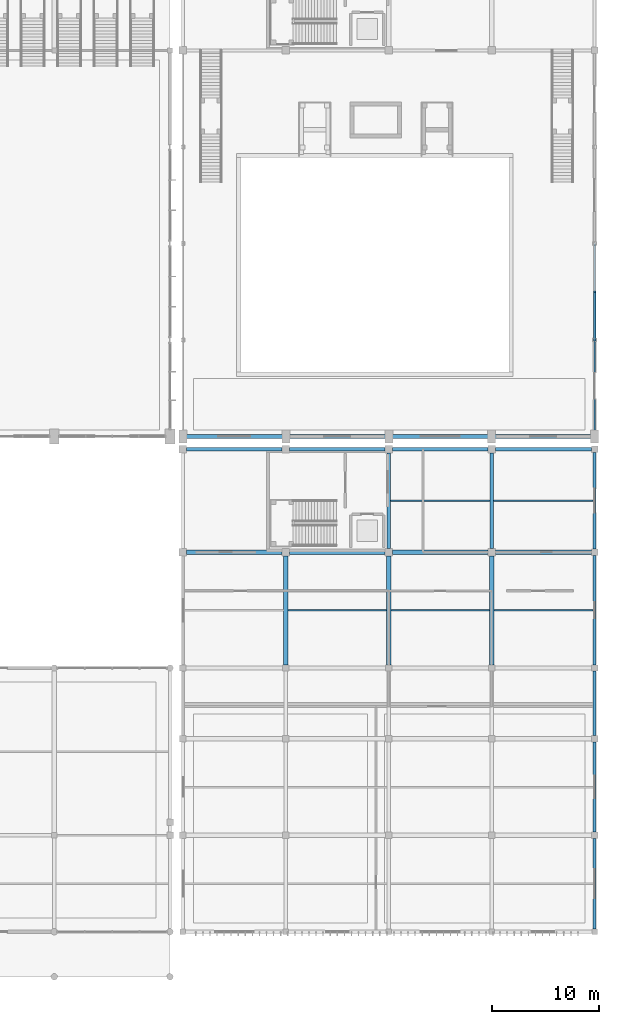
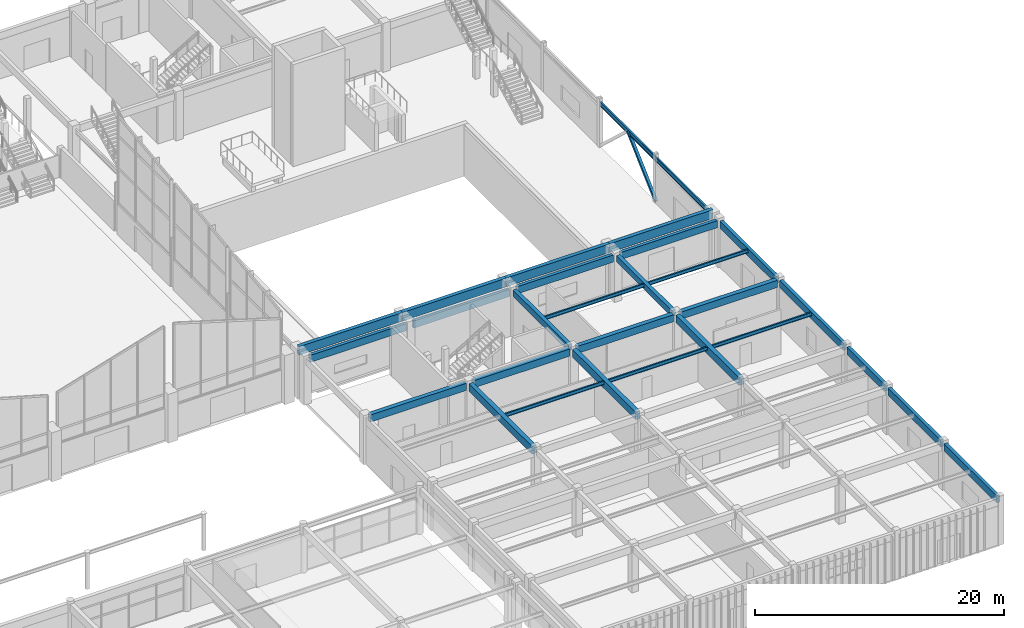
# One storey, part 36 of 82: 29 beams, 1 member.
"""IFC4 building model written with IfcOpenShell, lengths in metres."""

from ifc_helpers import new_model, si_unit, direction, frame, origin, origin_2d, place, context, subcontext, project, spatial, rectangle, hollow_rectangle, i_section, extrude, material, material_profile, profile_set, type_object, element, save


model = new_model("IFC4")

# Units and contexts
model_context = context("Model", 3, precision=1e-05, world=origin(), true_north=direction((0.0, 1.0)))
body_context = subcontext(model_context, "Body", "Model", "MODEL_VIEW")
ifc_project = project(units=[si_unit("LENGTHUNIT", "METRE"), si_unit("AREAUNIT", "SQUARE_METRE"), si_unit("VOLUMEUNIT", "CUBIC_METRE"), si_unit("PLANEANGLEUNIT", "RADIAN"), si_unit("MASSUNIT", "GRAM", prefix="KILO")], contexts=[model_context])

# Site, building, storey
site_placement = place(None, origin())
site = spatial("IfcSite", under=ifc_project, at=site_placement, CompositionType="ELEMENT")
building_placement = place(site_placement, origin())
building = spatial("IfcBuilding", under=site, at=building_placement, Name="Suirenkawa Promenade Aquatics Centre", CompositionType="ELEMENT")
storey_placement = place(building_placement, origin())
storey = spatial("IfcBuildingStorey", under=building, at=storey_placement, Name="L00", CompositionType="ELEMENT", Elevation=0.0)

# Beams
ifc_material_1 = material(Name="Steel IS 2062 E350 (Grade 350)", Category="steel")
ifc_material_profile_1 = material_profile(ifc_material_1, i_section(OverallWidth=0.139892578125, OverallDepth=0.35009765625, WebThickness=0.008056640625, FlangeThickness=0.013916015625, at=origin_2d()), Name="ISMB 350", Category="steel")
ifc_profile_set_1 = profile_set([ifc_material_profile_1], Name="Steel IS 2062 E350 (Grade 350)")
beam_type_1 = type_object("IfcBeamType", Name="BT-JOIST-ISMB350", PredefinedType="JOIST", material=ifc_profile_set_1)
beam_1_placement = place(storey_placement, frame((165.7939453125, 34.199951171875, 4.363037109375), z_axis=(1.0, 0.0, 0.0), x_axis=(0.0, 1.0, 0.0)))
element("IfcBeam", 1, at=beam_1_placement, inside=storey, type_object=beam_type_1, Name="Secondary floor joist JS-03 BM-1664", PredefinedType="JOIST", context=body_context, shape_type="SweptSolid", body=[
    extrude(i_section(OverallWidth=0.139892578125, OverallDepth=0.35009765625, WebThickness=0.008056640625, FlangeThickness=0.013916015625, at=origin_2d()), origin(), (0.0, 0.0, 1.0), 9.212158203125),
])
beam_2_placement = place(storey_placement, frame((175.39404296875, 34.199951171875, 4.363037109375), z_axis=(1.0, 0.0, 0.0), x_axis=(0.0, 1.0, 0.0)))
element("IfcBeam", 2, at=beam_2_placement, inside=storey, type_object=beam_type_1, Name="Secondary floor joist JS-03 BM-1668", PredefinedType="JOIST", context=body_context, shape_type="SweptSolid", body=[
    extrude(i_section(OverallWidth=0.139892578125, OverallDepth=0.35009765625, WebThickness=0.008056640625, FlangeThickness=0.013916015625, at=origin_2d()), origin(), (0.0, 0.0, 1.0), 9.2119140625),
])
for number, where, z_axis, x_axis, name in (
    (3, (175.368896484375, 44.39990234375, 4.363037109375), (1.0, 0.0, 0.0), (0.0, 1.0, 0.0), "Secondary floor joist JS-03 BM-1669"),
    (4, (184.993896484375, 34.199951171875, 4.363037109375), (1.0, 0.0, 0.0), (0.0, 1.0, 0.0), "Secondary floor joist JS-03 BM-1673"),
):
    element("IfcBeam", number, at=place(storey_placement, frame(where, z_axis=z_axis, x_axis=x_axis)), inside=storey, type_object=beam_type_1, Name=name, PredefinedType="JOIST", context=body_context, shape_type="SweptSolid", body=[
        extrude(i_section(OverallWidth=0.139892578125, OverallDepth=0.35009765625, WebThickness=0.008056640625, FlangeThickness=0.013916015625, at=origin_2d()), origin(), (0.0, 0.0, 1.0), 9.26220703125),
    ])
beam_3_placement = place(storey_placement, frame((184.968994140625, 44.39990234375, 4.363037109375), z_axis=(1.0, 0.0, 0.0), x_axis=(0.0, 1.0, 0.0)))
element("IfcBeam", 5, at=beam_3_placement, inside=storey, type_object=beam_type_1, Name="Secondary floor joist JS-03 BM-1674", PredefinedType="JOIST", context=body_context, shape_type="SweptSolid", body=[
    extrude(i_section(OverallWidth=0.139892578125, OverallDepth=0.35009765625, WebThickness=0.008056640625, FlangeThickness=0.013916015625, at=origin_2d()), origin(), (0.0, 0.0, 1.0), 9.287109375),
])
ifc_material_2 = material(Name="Concrete M35", Category="concrete")
ifc_material_profile_2 = material_profile(ifc_material_2, rectangle(XDim=0.35009765625, YDim=0.60009765625, at=origin_2d()), Name="RC BM 350x600", Category="concrete")
ifc_profile_set_2 = profile_set([ifc_material_profile_2], Name="Concrete M35")
beam_type_2 = type_object("IfcBeamType", Name="BT-RC-350x600", PredefinedType="BEAM", material=ifc_profile_set_2)
for number, where, z_axis, x_axis, name in (
    (6, (175.199951171875, 39.944091796875, 4.239990234375), (0.0, 1.0, 0.0), (-1.0, 0.0, 0.0), "Floor beam BM-02 BM-1646"),
    (7, (184.800048828125, 39.944091796875, 4.239990234375), (0.0, 1.0, 0.0), (-1.0, 0.0, 0.0), "Floor beam BM-02 BM-1651"),
):
    element("IfcBeam", number, at=place(storey_placement, frame(where, z_axis=z_axis, x_axis=x_axis)), inside=storey, type_object=beam_type_2, Name=name, PredefinedType="BEAM", context=body_context, shape_type="SweptSolid", body=[
        extrude(rectangle(XDim=0.35009765625, YDim=0.60009765625, at=origin_2d()), origin(), (0.0, 0.0, 1.0), 8.911865234375),
    ])
ifc_material_profile_3 = material_profile(ifc_material_2, rectangle(XDim=0.39990234375, YDim=0.699951171875, at=origin_2d()), Name="RC BM 400x700", Category="concrete")
ifc_profile_set_3 = profile_set([ifc_material_profile_3], Name="Concrete M35")
beam_type_3 = type_object("IfcBeamType", Name="BT-RC-400x700", PredefinedType="BEAM", material=ifc_profile_set_3)
beam_4_placement = place(storey_placement, frame((156.343994140625, 39.60009765625, 4.18994140625), z_axis=(1.0, 0.0, 0.0), x_axis=(0.0, 1.0, 0.0)))
element("IfcBeam", 8, at=beam_4_placement, inside=storey, type_object=beam_type_3, Name="Floor beam BM-04 BM-1625", PredefinedType="BEAM", context=body_context, shape_type="SweptSolid", body=[
    extrude(rectangle(XDim=0.39990234375, YDim=0.699951171875, at=origin_2d()), origin(), (0.0, 0.0, 1.0), 8.912109375),
])
beam_5_placement = place(storey_placement, frame((165.944091796875, 39.60009765625, 4.18994140625), z_axis=(1.0, 0.0, 0.0), x_axis=(0.0, 1.0, 0.0)))
element("IfcBeam", 9, at=beam_5_placement, inside=storey, type_object=beam_type_3, Name="Floor beam BM-04 BM-1626", PredefinedType="BEAM", context=body_context, shape_type="SweptSolid", body=[
    extrude(rectangle(XDim=0.39990234375, YDim=0.699951171875, at=origin_2d()), origin(), (0.0, 0.0, 1.0), 8.911865234375),
])
beam_6_placement = place(storey_placement, frame((175.5439453125, 39.60009765625, 4.18994140625), z_axis=(1.0, 0.0, 0.0), x_axis=(0.0, 1.0, 0.0)))
element("IfcBeam", 10, at=beam_6_placement, inside=storey, type_object=beam_type_3, Name="Floor beam BM-04 BM-1627", PredefinedType="BEAM", context=body_context, shape_type="SweptSolid", body=[
    extrude(rectangle(XDim=0.39990234375, YDim=0.699951171875, at=origin_2d()), origin(), (0.0, 0.0, 1.0), 8.912109375),
])
beam_7_placement = place(storey_placement, frame((185.14404296875, 39.60009765625, 4.18994140625), z_axis=(1.0, 0.0, 0.0), x_axis=(0.0, 1.0, 0.0)))
element("IfcBeam", 11, at=beam_7_placement, inside=storey, type_object=beam_type_3, Name="Floor beam BM-04 BM-1628", PredefinedType="BEAM", context=body_context, shape_type="SweptSolid", body=[
    extrude(rectangle(XDim=0.39990234375, YDim=0.699951171875, at=origin_2d()), origin(), (0.0, 0.0, 1.0), 8.9619140625),
])
ifc_material_3 = material(Name="Concrete M40", Category="concrete")
ifc_material_profile_4 = material_profile(ifc_material_3, rectangle(XDim=0.39990234375, YDim=0.75, at=origin_2d()), Name="RC BM 400x750", Category="concrete")
ifc_profile_set_4 = profile_set([ifc_material_profile_4], Name="Concrete M40")
beam_type_4 = type_object("IfcBeamType", Name="BT-RC-400x750", PredefinedType="BEAM", material=ifc_profile_set_4)
for number, where, z_axis, x_axis, name in (
    (12, (165.60009765625, 29.093994140625, 4.1650390625), (0.0, 1.0, 0.0), (-1.0, 0.0, 0.0), "Floor beam BM-05 BM-1641"),
    (13, (175.199951171875, 29.093994140625, 4.1650390625), (0.0, 1.0, 0.0), (-1.0, 0.0, 0.0), "Floor beam BM-05 BM-1645"),
    (14, (184.800048828125, 29.093994140625, 4.1650390625), (0.0, 1.0, 0.0), (-1.0, 0.0, 0.0), "Floor beam BM-05 BM-1650"),
):
    element("IfcBeam", number, at=place(storey_placement, frame(where, z_axis=z_axis, x_axis=x_axis)), inside=storey, type_object=beam_type_4, Name=name, PredefinedType="BEAM", context=body_context, shape_type="SweptSolid", body=[
        extrude(rectangle(XDim=0.39990234375, YDim=0.75, at=origin_2d()), origin(), (0.0, 0.0, 1.0), 10.162109375),
    ])
ifc_material_profile_5 = material_profile(ifc_material_3, rectangle(XDim=0.300048828125, YDim=0.699951171875, at=origin_2d()), Name="RC SPANDREL 300x700", Category="concrete")
ifc_profile_set_5 = profile_set([ifc_material_profile_5], Name="Concrete M40")
beam_type_5 = type_object("IfcBeamType", Name="BT-SPANDREL-300x700", PredefinedType="SPANDREL", material=ifc_profile_set_5)
beam_8_placement = place(storey_placement, frame((156.343994140625, 49.199951171875, 4.18994140625), z_axis=(1.0, 0.0, 0.0), x_axis=(0.0, 1.0, 0.0)))
element("IfcBeam", 15, at=beam_8_placement, inside=storey, type_object=beam_type_5, Name="Floor beam SP-01 BM-1629", PredefinedType="SPANDREL", context=body_context, shape_type="SweptSolid", body=[
    extrude(rectangle(XDim=0.300048828125, YDim=0.699951171875, at=origin_2d()), origin(), (0.0, 0.0, 1.0), 8.912109375),
])
beam_9_placement = place(storey_placement, frame((165.944091796875, 49.199951171875, 4.18994140625), z_axis=(1.0, 0.0, 0.0), x_axis=(0.0, 1.0, 0.0)))
element("IfcBeam", 16, at=beam_9_placement, inside=storey, type_object=beam_type_5, Name="Floor beam SP-01 BM-1630", PredefinedType="SPANDREL", context=body_context, shape_type="SweptSolid", body=[
    extrude(rectangle(XDim=0.300048828125, YDim=0.699951171875, at=origin_2d()), origin(), (0.0, 0.0, 1.0), 8.911865234375),
])
beam_10_placement = place(storey_placement, frame((175.5439453125, 49.199951171875, 4.18994140625), z_axis=(1.0, 0.0, 0.0), x_axis=(0.0, 1.0, 0.0)))
element("IfcBeam", 17, at=beam_10_placement, inside=storey, type_object=beam_type_5, Name="Floor beam SP-01 BM-1631", PredefinedType="SPANDREL", context=body_context, shape_type="SweptSolid", body=[
    extrude(rectangle(XDim=0.300048828125, YDim=0.699951171875, at=origin_2d()), origin(), (0.0, 0.0, 1.0), 8.912109375),
])
beam_11_placement = place(storey_placement, frame((185.14404296875, 49.199951171875, 4.18994140625), z_axis=(1.0, 0.0, 0.0), x_axis=(0.0, 1.0, 0.0)))
element("IfcBeam", 18, at=beam_11_placement, inside=storey, type_object=beam_type_5, Name="Floor beam SP-01 BM-1632", PredefinedType="SPANDREL", context=body_context, shape_type="SweptSolid", body=[
    extrude(rectangle(XDim=0.300048828125, YDim=0.699951171875, at=origin_2d()), origin(), (0.0, 0.0, 1.0), 8.9619140625),
])
beam_12_placement = place(storey_placement, frame((194.39990234375, 4.444091796875, 4.18994140625), z_axis=(0.0, 1.0, 0.0), x_axis=(-1.0, 0.0, 0.0)))
element("IfcBeam", 19, at=beam_12_placement, inside=storey, type_object=beam_type_5, Name="Floor beam SP-01 BM-1652", PredefinedType="SPANDREL", context=body_context, shape_type="SweptSolid", body=[
    extrude(rectangle(XDim=0.300048828125, YDim=0.699951171875, at=origin_2d()), origin(), (0.0, 0.0, 1.0), 8.4619140625),
])
beam_13_placement = place(storey_placement, frame((194.39990234375, 13.493896484375, 4.18994140625), z_axis=(0.0, 1.0, 0.0), x_axis=(-1.0, 0.0, 0.0)))
element("IfcBeam", 20, at=beam_13_placement, inside=storey, type_object=beam_type_5, Name="Floor beam SP-01 BM-1653", PredefinedType="SPANDREL", context=body_context, shape_type="SweptSolid", body=[
    extrude(rectangle(XDim=0.300048828125, YDim=0.699951171875, at=origin_2d()), origin(), (0.0, 0.0, 1.0), 8.412109375),
])
beam_14_placement = place(storey_placement, frame((194.39990234375, 22.493896484375, 4.18994140625), z_axis=(0.0, 1.0, 0.0), x_axis=(-1.0, 0.0, 0.0)))
element("IfcBeam", 21, at=beam_14_placement, inside=storey, type_object=beam_type_5, Name="Floor beam SP-01 BM-1654", PredefinedType="SPANDREL", context=body_context, shape_type="SweptSolid", body=[
    extrude(rectangle(XDim=0.300048828125, YDim=0.699951171875, at=origin_2d()), origin(), (0.0, 0.0, 1.0), 6.01220703125),
])
beam_15_placement = place(storey_placement, frame((194.39990234375, 29.093994140625, 4.18994140625), z_axis=(0.0, 1.0, 0.0), x_axis=(-1.0, 0.0, 0.0)))
element("IfcBeam", 22, at=beam_15_placement, inside=storey, type_object=beam_type_5, Name="Floor beam SP-01 BM-1655", PredefinedType="SPANDREL", context=body_context, shape_type="SweptSolid", body=[
    extrude(rectangle(XDim=0.300048828125, YDim=0.699951171875, at=origin_2d()), origin(), (0.0, 0.0, 1.0), 10.2119140625),
])
beam_16_placement = place(storey_placement, frame((194.39990234375, 39.89404296875, 4.18994140625), z_axis=(0.0, 1.0, 0.0), x_axis=(-1.0, 0.0, 0.0)))
element("IfcBeam", 23, at=beam_16_placement, inside=storey, type_object=beam_type_5, Name="Floor beam SP-01 BM-1656", PredefinedType="SPANDREL", context=body_context, shape_type="SweptSolid", body=[
    extrude(rectangle(XDim=0.300048828125, YDim=0.699951171875, at=origin_2d()), origin(), (0.0, 0.0, 1.0), 9.011962890625),
])
ifc_material_profile_6 = material_profile(ifc_material_3, rectangle(XDim=0.35009765625, YDim=0.85009765625, at=origin_2d()), Name="RC SPANDREL 350x850", Category="concrete")
ifc_profile_set_6 = profile_set([ifc_material_profile_6], Name="Concrete M40")
beam_type_6 = type_object("IfcBeamType", Name="BT-SPANDREL-350x850", PredefinedType="SPANDREL", material=ifc_profile_set_6)
beam_17_placement = place(storey_placement, frame((156.0, 50.39990234375, 4.375), z_axis=(1.0, 0.0, 0.0), x_axis=(0.0, 1.0, 0.0)))
element("IfcBeam", 24, at=beam_17_placement, inside=storey, type_object=beam_type_6, Name="V2 south L01 spandrel SP-02 BM-1369", PredefinedType="SPANDREL", context=body_context, shape_type="SweptSolid", body=[
    extrude(rectangle(XDim=0.35009765625, YDim=0.85009765625, at=origin_2d()), origin(), (0.0, 0.0, 1.0), 9.60009765625),
])
beam_18_placement = place(storey_placement, frame((165.60009765625, 50.39990234375, 4.375), z_axis=(1.0, 0.0, 0.0), x_axis=(0.0, 1.0, 0.0)))
element("IfcBeam", 25, at=beam_18_placement, inside=storey, type_object=beam_type_6, Name="V2 south L01 spandrel SP-02 BM-1370", PredefinedType="SPANDREL", context=body_context, shape_type="SweptSolid", body=[
    extrude(rectangle(XDim=0.35009765625, YDim=0.85009765625, at=origin_2d()), origin(), (0.0, 0.0, 1.0), 9.599853515625),
])
beam_19_placement = place(storey_placement, frame((175.199951171875, 50.39990234375, 4.375), z_axis=(1.0, 0.0, 0.0), x_axis=(0.0, 1.0, 0.0)))
element("IfcBeam", 26, at=beam_19_placement, inside=storey, type_object=beam_type_6, Name="V2 south L01 spandrel SP-02 BM-1371", PredefinedType="SPANDREL", context=body_context, shape_type="SweptSolid", body=[
    extrude(rectangle(XDim=0.35009765625, YDim=0.85009765625, at=origin_2d()), origin(), (0.0, 0.0, 1.0), 9.60009765625),
])
beam_20_placement = place(storey_placement, frame((184.800048828125, 50.39990234375, 4.375), z_axis=(1.0, 0.0, 0.0), x_axis=(0.0, 1.0, 0.0)))
element("IfcBeam", 27, at=beam_20_placement, inside=storey, type_object=beam_type_6, Name="V2 south L01 spandrel SP-02 BM-1372", PredefinedType="SPANDREL", context=body_context, shape_type="SweptSolid", body=[
    extrude(rectangle(XDim=0.35009765625, YDim=0.85009765625, at=origin_2d()), origin(), (0.0, 0.0, 1.0), 9.599853515625),
])
ifc_material_profile_7 = material_profile(ifc_material_1, i_section(OverallWidth=0.14990234375, OverallDepth=0.449951171875, WebThickness=0.009033203125, FlangeThickness=0.01708984375, at=origin_2d()), Name="ISMB 450", Category="steel")
ifc_profile_set_7 = profile_set([ifc_material_profile_7], Name="Steel IS 2062 E350 (Grade 350)")
beam_type_7 = type_object("IfcBeamType", Name="BT-STL-ISMB450", PredefinedType="BEAM", material=ifc_profile_set_7)
for number, where, z_axis, x_axis, name in (
    (28, (194.39990234375, 50.39990234375, 4.22509765625), (0.0, 1.0, 0.0), (-1.0, 0.0, 0.0), "Diving hall wind girt BM-08 BM-1357"),
    (29, (194.39990234375, 59.39990234375, 4.22509765625), (0.0, 1.0, 0.0), (-1.0, 0.0, 0.0), "Diving hall wind girt BM-08 BM-1358"),
):
    element("IfcBeam", number, at=place(storey_placement, frame(where, z_axis=z_axis, x_axis=x_axis)), inside=storey, type_object=beam_type_7, Name=name, PredefinedType="BEAM", context=body_context, shape_type="SweptSolid", body=[
        extrude(i_section(OverallWidth=0.14990234375, OverallDepth=0.449951171875, WebThickness=0.009033203125, FlangeThickness=0.01708984375, at=origin_2d()), origin(), (0.0, 0.0, 1.0), 9.0),
    ])

# Member
ifc_material_profile_8 = material_profile(ifc_material_1, hollow_rectangle(XDim=0.25, YDim=0.25, WallThickness=0.011962890625, at=origin_2d()), Name="SHS 250x250x12", Category="steel")
ifc_profile_set_8 = profile_set([ifc_material_profile_8], Name="Steel IS 2062 E350 (Grade 350)")
member_type = type_object("IfcMemberType", Name="MT-BRACE-SHS250", PredefinedType="BRACE", material=ifc_profile_set_8)
member_placement = place(storey_placement, frame((194.39990234375, 59.39990234375, 0.050048828125), z_axis=(0.0, 0.733079568112, 0.680142887059), x_axis=(-1.0, 0.0, 0.0)))
element("IfcMember", 30, at=member_placement, inside=storey, type_object=member_type, Name="ROOF TRUSS Vertical chevron brace BF-03 MB-2913", PredefinedType="BRACE", context=body_context, shape_type="SweptSolid", body=[
    extrude(hollow_rectangle(XDim=0.25, YDim=0.25, WallThickness=0.011962890625, at=origin_2d()), origin(), (0.0, 0.0, 1.0), 6.138427734375),
])

save(model, "model.ifc")
